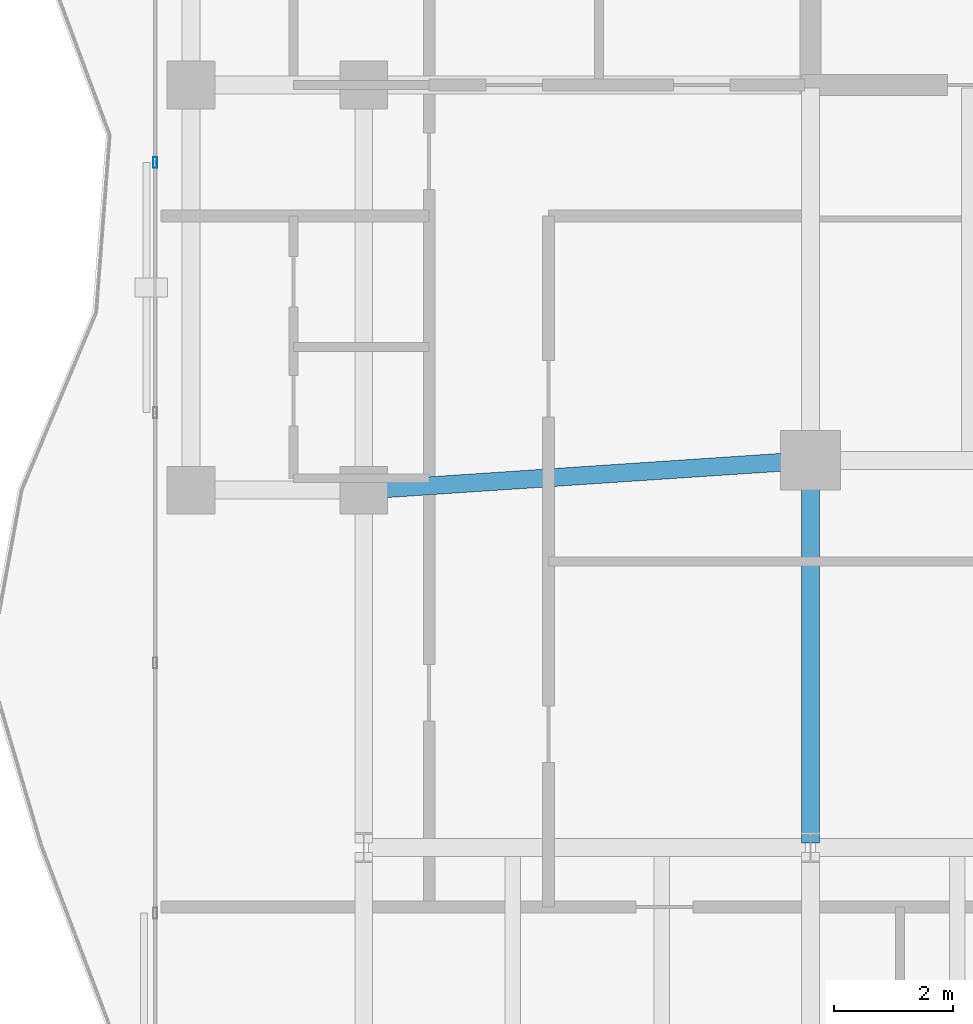
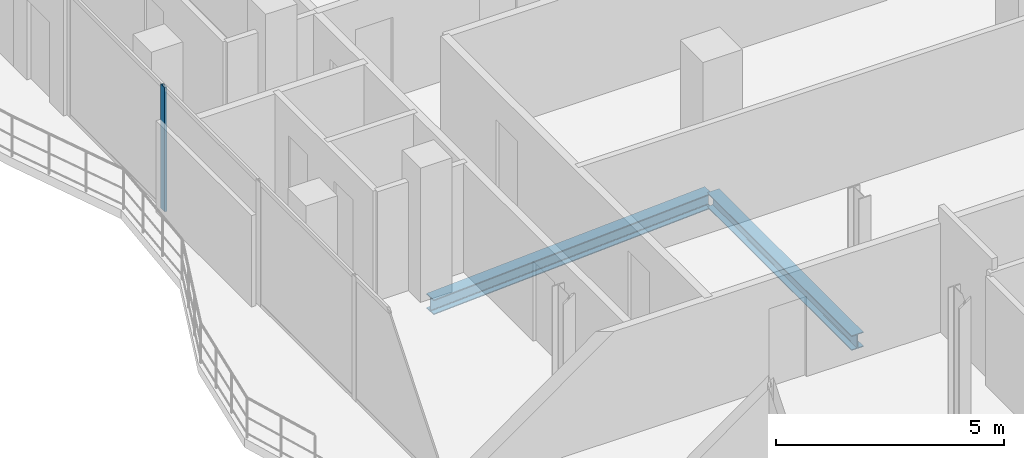
# One storey, part 8 of 23: 2 beams, 1 member, 1 element without a shape of its own.
"""IFC4 building model written with IfcOpenShell, lengths in metres."""

from ifc_helpers import new_model, si_unit, direction, frame, origin, origin_2d, place, context, subcontext, project, spatial, hollow_rectangle, i_section, extrude, material, layer, layer_set, material_profile, profile_set, type_object, element, aggregate, save


model = new_model("IFC4")

# Units and contexts
model_context = context("Model", 3, precision=1e-05, world=origin(), true_north=direction((0.0, 1.0)))
body_context = subcontext(model_context, "Body", "Model", "MODEL_VIEW")
ifc_project = project(units=[si_unit("LENGTHUNIT", "METRE"), si_unit("AREAUNIT", "SQUARE_METRE"), si_unit("VOLUMEUNIT", "CUBIC_METRE"), si_unit("PLANEANGLEUNIT", "RADIAN"), si_unit("MASSUNIT", "GRAM", prefix="KILO")], contexts=[model_context])

# Site, building, storey
site_placement = place(None, origin())
site = spatial("IfcSite", under=ifc_project, at=site_placement, CompositionType="ELEMENT")
building_placement = place(site_placement, origin())
building = spatial("IfcBuilding", under=site, at=building_placement, Name="Catumbela Crestline Tower", CompositionType="ELEMENT")
storey_placement = place(building_placement, frame((0.0, 0.0, 190.2)))
storey = spatial("IfcBuildingStorey", under=building, at=storey_placement, Name="L49", CompositionType="ELEMENT", Elevation=190.2)

# Beams
ifc_material_1 = material(Name="Structural steel S355J2", Category="steel")
ifc_material_profile_1 = material_profile(ifc_material_1, i_section(OverallWidth=0.3, OverallDepth=0.4, WebThickness=0.0135, FlangeThickness=0.024, FilletRadius=0.027, at=origin_2d()), Name="HEB 400")
ifc_profile_set_1 = profile_set([ifc_material_profile_1], Name="Structural steel S355J2")
beam_type = type_object("IfcBeamType", Name="BG-HEB400", PredefinedType="BEAM", material=ifc_profile_set_1)
beam_1_placement = place(storey_placement, frame((8.5798, 24.0053, -0.46), z_axis=(0.997784796964, 0.066524423687, 0.0), x_axis=(-0.066524423687, 0.997784796964, 0.0)))
element("IfcBeam", 1, at=beam_1_placement, inside=storey, type_object=beam_type, Name="L49 Beam BM-L49-S02", PredefinedType="BEAM", context=body_context, shape_type="SweptSolid", body=[
    extrude(i_section(OverallWidth=0.3, OverallDepth=0.4, WebThickness=0.0135, FlangeThickness=0.024, FilletRadius=0.027, at=origin_2d()), origin(), (0.0, 0.0, 1.0), 7.3567),
])
beam_2_placement = place(storey_placement, frame((16.0, 18.08, -0.46), z_axis=(0.0, 1.0, 0.0), x_axis=(-1.0, 0.0, 0.0)))
element("IfcBeam", 2, at=beam_2_placement, inside=storey, type_object=beam_type, Name="L49 Beam BM-L49-WNS42", PredefinedType="BEAM", context=body_context, shape_type="SweptSolid", body=[
    extrude(i_section(OverallWidth=0.3, OverallDepth=0.4, WebThickness=0.0135, FlangeThickness=0.024, FilletRadius=0.027, at=origin_2d()), origin(), (0.0, 0.0, 1.0), 6.34),
])

# Curtain wall, member
ifc_material_2 = material(Name="Aluminium alloy AW-6060-T66", Category="aluminium")
ifc_layer = layer(ifc_material_2, 0.18, Name="Aluminium alloy AW-6060-T66")
ifc_layer_set = layer_set([ifc_layer], Name="Aluminium alloy AW-6060-T66")
curtain_wall_type = type_object("IfcCurtainWallType", Name="CWU-Z3", PredefinedType="USERDEFINED", material=ifc_layer_set)
curtain_wall_placement = place(storey_placement, origin())
curtain_wall = element("IfcCurtainWall", 3, at=curtain_wall_placement, inside=storey, type_object=curtain_wall_type, Name="L49 Unitised Curtain Wall CW-L49-E9S2", ObjectType="UNITISED", PredefinedType="USERDEFINED")
ifc_material_profile_2 = material_profile(ifc_material_2, hollow_rectangle(XDim=0.065, YDim=0.18, WallThickness=0.004, at=origin_2d()), Name="ALU 180x65x4")
ifc_profile_set_2 = profile_set([ifc_material_profile_2], Name="Aluminium alloy AW-6060-T66")
member_type = type_object("IfcMemberType", Name="MUL-180X65", PredefinedType="MULLION", material=ifc_profile_set_2)
member_placement = place(storey_placement, frame((5.0, 29.5, 0.0), z_axis=(0.0, 0.0, 1.0), x_axis=(1.0, 0.0, 0.0)))
member = element("IfcMember", 4, at=member_placement, type_object=member_type, Name="CWU-Z3 mullion 2", PredefinedType="MULLION", context=body_context, shape_type="SweptSolid", body=[
    extrude(hollow_rectangle(XDim=0.065, YDim=0.18, WallThickness=0.004, at=origin_2d()), origin(), (0.0, 0.0, 1.0), 3.33),
])
aggregate(curtain_wall, [member])

save(model, "model.ifc")
